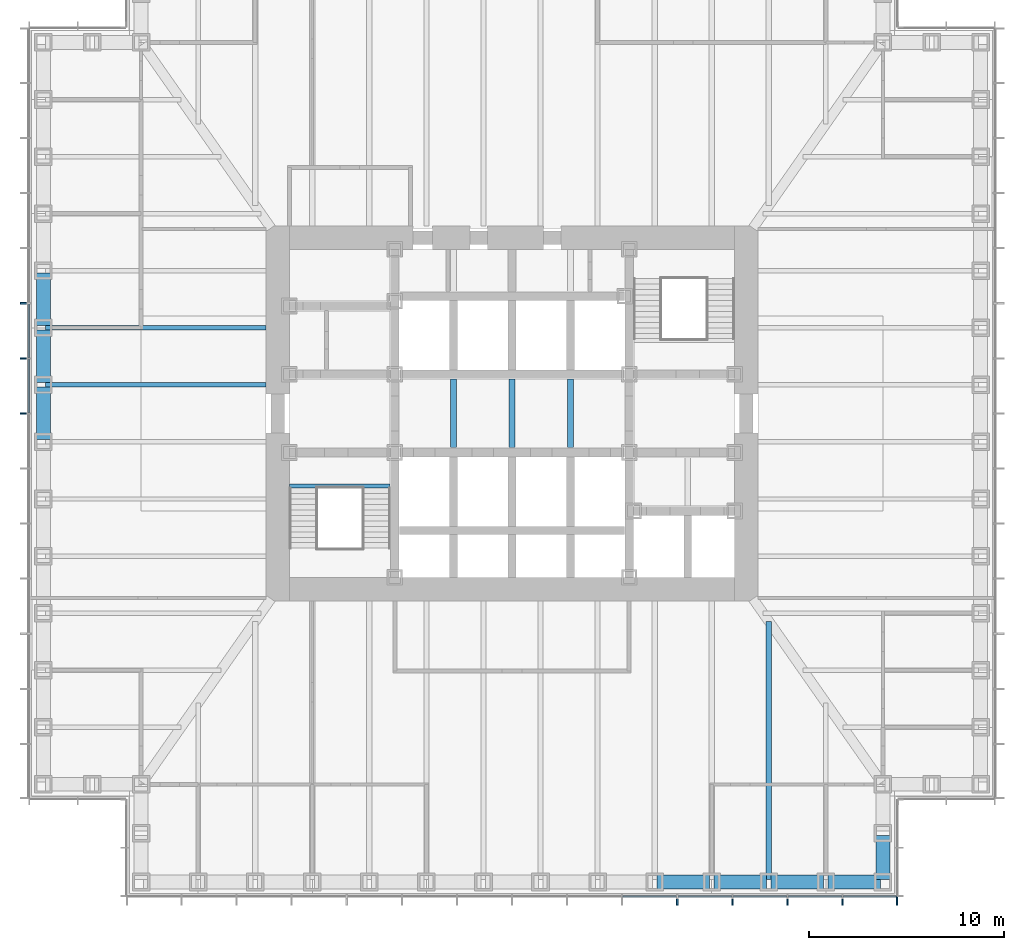
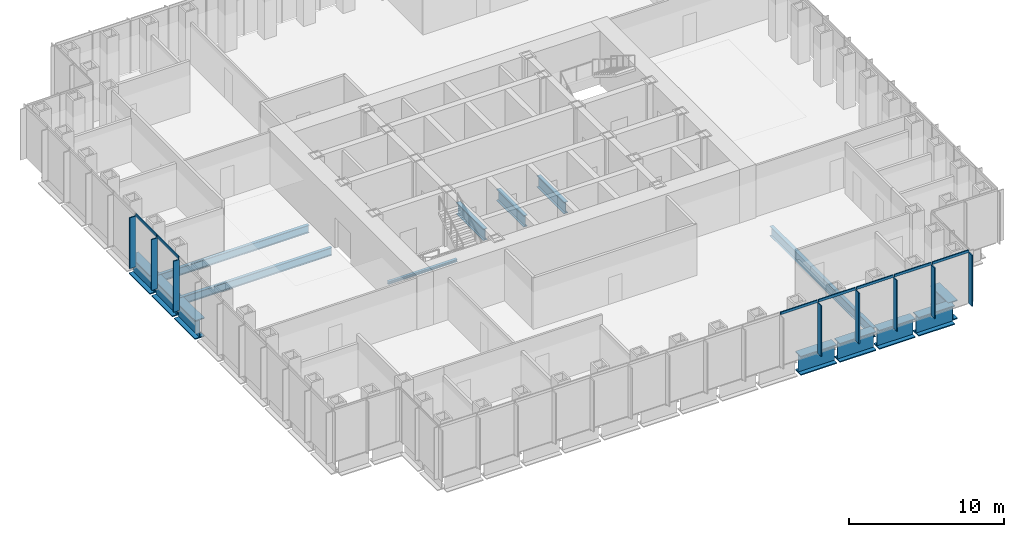
# One storey, part 3 of 17: 15 beams, 15 members, 2 elements without a shape of their own.
"""IFC4 building model written with IfcOpenShell, lengths in metres."""

from ifc_helpers import new_model, si_unit, direction, frame, origin, origin_2d, place, context, subcontext, project, spatial, rectangle, i_section, extrude, material, material_profile, profile_set, type_object, element, aggregate, save


model = new_model("IFC4")

# Units and contexts
model_context = context("Model", 3, precision=1e-05, world=origin(), true_north=direction((0.0, 1.0)))
body_context = subcontext(model_context, "Body", "Model", "MODEL_VIEW")
ifc_project = project(units=[si_unit("LENGTHUNIT", "METRE"), si_unit("AREAUNIT", "SQUARE_METRE"), si_unit("VOLUMEUNIT", "CUBIC_METRE"), si_unit("PLANEANGLEUNIT", "RADIAN"), si_unit("MASSUNIT", "GRAM", prefix="KILO")], contexts=[model_context])

# Site, building, storey
site_placement = place(None, origin())
site = spatial("IfcSite", under=ifc_project, at=site_placement, CompositionType="ELEMENT")
building_placement = place(site_placement, origin())
building = spatial("IfcBuilding", under=site, at=building_placement, Name="Daluyong Arena Tower", CompositionType="ELEMENT")
storey_placement = place(building_placement, frame((0.0, 0.0, 89.5)))
storey = spatial("IfcBuildingStorey", under=building, at=storey_placement, Name="L19", CompositionType="ELEMENT", Elevation=89.5)

# Curtain wall, members
ifc_material_1 = material(Name="Bronze anodised aluminium and glass", Category="aluminium")
curtain_wall_type = type_object("IfcCurtainWallType", Name="Curtain wall CW1", PredefinedType="USERDEFINED", material=ifc_material_1)
curtain_wall_1_placement = place(storey_placement, origin())
curtain_wall_1 = element("IfcCurtainWall", 1, at=curtain_wall_1_placement, inside=storey, type_object=curtain_wall_type, Name="curtain wall L19 S", ObjectType="UNITISED CURTAIN WALL", PredefinedType="USERDEFINED")
ifc_material_2 = material(Name="Bronze anodised aluminium fin", Category="aluminium")
ifc_material_profile_1 = material_profile(ifc_material_2, rectangle(XDim=0.449951171875, YDim=0.080078125, at=origin_2d()))
ifc_profile_set_1 = profile_set([ifc_material_profile_1], Name="Bronze anodised aluminium fin")
member_type_1 = type_object("IfcMemberType", Name="CW1 bronze fin 450x80", PredefinedType="MULLION", material=ifc_profile_set_1)
member_1_placement = place(storey_placement, frame((64.46435546875, 55.02490234375, 0.0), z_axis=(0.0, 0.0, 1.0), x_axis=(0.0, 1.0, 0.0)))
member_1 = element("IfcMember", 2, at=member_1_placement, type_object=member_type_1, Name="curtain wall L19 S fin 11", PredefinedType="MULLION", context=body_context, shape_type="SweptSolid", body=[
    extrude(rectangle(XDim=0.449951171875, YDim=0.080078125, at=origin_2d()), origin(), (0.0, 0.0, 1.0), 4.0),
])
member_2_placement = place(storey_placement, frame((67.28564453125, 55.02490234375, 0.0), z_axis=(0.0, 0.0, 1.0), x_axis=(0.0, 1.0, 0.0)))
member_2 = element("IfcMember", 3, at=member_2_placement, type_object=member_type_1, Name="curtain wall L19 S fin 12", PredefinedType="MULLION", context=body_context, shape_type="SweptSolid", body=[
    extrude(rectangle(XDim=0.449951171875, YDim=0.080078125, at=origin_2d()), origin(), (0.0, 0.0, 1.0), 4.0),
])
member_3_placement = place(storey_placement, frame((70.107177734375, 55.02490234375, 0.0), z_axis=(0.0, 0.0, 1.0), x_axis=(0.0, 1.0, 0.0)))
member_3 = element("IfcMember", 4, at=member_3_placement, type_object=member_type_1, Name="curtain wall L19 S fin 13", PredefinedType="MULLION", context=body_context, shape_type="SweptSolid", body=[
    extrude(rectangle(XDim=0.449951171875, YDim=0.080078125, at=origin_2d()), origin(), (0.0, 0.0, 1.0), 4.0),
])
member_4_placement = place(storey_placement, frame((72.928466796875, 55.02490234375, 0.0), z_axis=(0.0, 0.0, 1.0), x_axis=(0.0, 1.0, 0.0)))
member_4 = element("IfcMember", 5, at=member_4_placement, type_object=member_type_1, Name="curtain wall L19 S fin 14", PredefinedType="MULLION", context=body_context, shape_type="SweptSolid", body=[
    extrude(rectangle(XDim=0.449951171875, YDim=0.080078125, at=origin_2d()), origin(), (0.0, 0.0, 1.0), 4.0),
])
member_5_placement = place(storey_placement, frame((75.7099609375, 55.02490234375, 0.0), z_axis=(0.0, 0.0, 1.0), x_axis=(0.0, 1.0, 0.0)))
member_5 = element("IfcMember", 6, at=member_5_placement, type_object=member_type_1, Name="curtain wall L19 S fin 15", PredefinedType="MULLION", context=body_context, shape_type="SweptSolid", body=[
    extrude(rectangle(XDim=0.449951171875, YDim=0.080078125, at=origin_2d()), origin(), (0.0, 0.0, 1.0), 4.0),
])

curtain_wall_2_placement = place(storey_placement, origin())
curtain_wall_2 = element("IfcCurtainWall", 7, at=curtain_wall_2_placement, inside=storey, type_object=curtain_wall_type, Name="curtain wall L19 W", ObjectType="UNITISED CURTAIN WALL", PredefinedType="USERDEFINED")
member_6_placement = place(storey_placement, frame((31.02490234375, 85.642822265625, 0.0), z_axis=(0.0, 0.0, 1.0), x_axis=(1.0, 0.0, 0.0)))
member_6 = element("IfcMember", 8, at=member_6_placement, type_object=member_type_1, Name="curtain wall L19 W fin 6", PredefinedType="MULLION", context=body_context, shape_type="SweptSolid", body=[
    extrude(rectangle(XDim=0.449951171875, YDim=0.080078125, at=origin_2d()), origin(), (0.0, 0.0, 1.0), 4.0),
])
member_7_placement = place(storey_placement, frame((31.02490234375, 82.821533203125, 0.0), z_axis=(0.0, 0.0, 1.0), x_axis=(1.0, 0.0, 0.0)))
member_7 = element("IfcMember", 9, at=member_7_placement, type_object=member_type_1, Name="curtain wall L19 W fin 7", PredefinedType="MULLION", context=body_context, shape_type="SweptSolid", body=[
    extrude(rectangle(XDim=0.449951171875, YDim=0.080078125, at=origin_2d()), origin(), (0.0, 0.0, 1.0), 4.0),
])
member_8_placement = place(storey_placement, frame((31.02490234375, 80.0, 0.0), z_axis=(0.0, 0.0, 1.0), x_axis=(1.0, 0.0, 0.0)))
member_8 = element("IfcMember", 10, at=member_8_placement, type_object=member_type_1, Name="curtain wall L19 W fin 8", PredefinedType="MULLION", context=body_context, shape_type="SweptSolid", body=[
    extrude(rectangle(XDim=0.449951171875, YDim=0.080078125, at=origin_2d()), origin(), (0.0, 0.0, 1.0), 4.0),
])

# Member
ifc_material_3 = material(Name="Bronze anodised aluminium", Category="aluminium")
ifc_material_profile_2 = material_profile(ifc_material_3, rectangle(XDim=0.080078125, YDim=0.199951171875, at=origin_2d()))
ifc_profile_set_2 = profile_set([ifc_material_profile_2], Name="Bronze anodised aluminium")
member_type_2 = type_object("IfcMemberType", Name="CW1 stack transom 200x80", PredefinedType="USERDEFINED", material=ifc_profile_set_2)
member_9_placement = place(storey_placement, frame((61.682861328125, 55.25, 4.10009765625), z_axis=(1.0, 0.0, 0.0), x_axis=(0.0, 1.0, 0.0)))
member_9 = element("IfcMember", 11, at=member_9_placement, type_object=member_type_2, Name="curtain wall L19 S transom 10", ObjectType="TRANSOM", PredefinedType="USERDEFINED", context=body_context, shape_type="SweptSolid", body=[
    extrude(rectangle(XDim=0.080078125, YDim=0.199951171875, at=origin_2d()), origin(), (0.0, 0.0, 1.0), 2.741455078125),
])

member_10_placement = place(storey_placement, frame((64.50439453125, 55.25, 4.10009765625), z_axis=(1.0, 0.0, 0.0), x_axis=(0.0, 1.0, 0.0)))
member_10 = element("IfcMember", 12, at=member_10_placement, type_object=member_type_2, Name="curtain wall L19 S transom 11", ObjectType="TRANSOM", PredefinedType="USERDEFINED", context=body_context, shape_type="SweptSolid", body=[
    extrude(rectangle(XDim=0.080078125, YDim=0.199951171875, at=origin_2d()), origin(), (0.0, 0.0, 1.0), 2.7412109375),
])

member_11_placement = place(storey_placement, frame((67.32568359375, 55.25, 4.10009765625), z_axis=(1.0, 0.0, 0.0), x_axis=(0.0, 1.0, 0.0)))
member_11 = element("IfcMember", 13, at=member_11_placement, type_object=member_type_2, Name="curtain wall L19 S transom 12", ObjectType="TRANSOM", PredefinedType="USERDEFINED", context=body_context, shape_type="SweptSolid", body=[
    extrude(rectangle(XDim=0.080078125, YDim=0.199951171875, at=origin_2d()), origin(), (0.0, 0.0, 1.0), 2.741455078125),
])

member_12_placement = place(storey_placement, frame((70.147216796875, 55.25, 4.10009765625), z_axis=(1.0, 0.0, 0.0), x_axis=(0.0, 1.0, 0.0)))
member_12 = element("IfcMember", 14, at=member_12_placement, type_object=member_type_2, Name="curtain wall L19 S transom 13", ObjectType="TRANSOM", PredefinedType="USERDEFINED", context=body_context, shape_type="SweptSolid", body=[
    extrude(rectangle(XDim=0.080078125, YDim=0.199951171875, at=origin_2d()), origin(), (0.0, 0.0, 1.0), 2.741455078125),
])

member_13_placement = place(storey_placement, frame((72.968505859375, 55.25, 4.10009765625), z_axis=(1.0, 0.0, 0.0), x_axis=(0.0, 1.0, 0.0)))
member_13 = element("IfcMember", 15, at=member_13_placement, type_object=member_type_2, Name="curtain wall L19 S transom 14", ObjectType="TRANSOM", PredefinedType="USERDEFINED", context=body_context, shape_type="SweptSolid", body=[
    extrude(rectangle(XDim=0.080078125, YDim=0.199951171875, at=origin_2d()), origin(), (0.0, 0.0, 1.0), 2.701416015625),
])

aggregate(curtain_wall_1, [member_1, member_2, member_3, member_4, member_5, member_9, member_10, member_11, member_12, member_13])

member_14_placement = place(storey_placement, frame((31.25, 85.602783203125, 4.10009765625), z_axis=(0.0, -1.0, 0.0), x_axis=(1.0, 0.0, 0.0)))
member_14 = element("IfcMember", 16, at=member_14_placement, type_object=member_type_2, Name="curtain wall L19 W transom 6", ObjectType="TRANSOM", PredefinedType="USERDEFINED", context=body_context, shape_type="SweptSolid", body=[
    extrude(rectangle(XDim=0.080078125, YDim=0.199951171875, at=origin_2d()), origin(), (0.0, 0.0, 1.0), 2.741455078125),
])

member_15_placement = place(storey_placement, frame((31.25, 82.781494140625, 4.10009765625), z_axis=(0.0, -1.0, 0.0), x_axis=(1.0, 0.0, 0.0)))
member_15 = element("IfcMember", 17, at=member_15_placement, type_object=member_type_2, Name="curtain wall L19 W transom 7", ObjectType="TRANSOM", PredefinedType="USERDEFINED", context=body_context, shape_type="SweptSolid", body=[
    extrude(rectangle(XDim=0.080078125, YDim=0.199951171875, at=origin_2d()), origin(), (0.0, 0.0, 1.0), 2.741455078125),
])

aggregate(curtain_wall_2, [member_6, member_7, member_8, member_14, member_15])

# Beams
ifc_material_4 = material(Name="Steel ASTM A992 Grade 50", Category="steel")
ifc_material_profile_3 = material_profile(ifc_material_4, i_section(OverallWidth=0.22900390625, OverallDepth=0.612060546875, WebThickness=0.011962890625, FlangeThickness=0.01953125, at=origin_2d()))
ifc_profile_set_3 = profile_set([ifc_material_profile_3], Name="Steel ASTM A992 Grade 50")
beam_type_1 = type_object("IfcBeamType", Name="Floor beam W24X84", PredefinedType="BEAM", material=ifc_profile_set_3)
for number, where, z_axis, x_axis, name in (
    (18, (32.114990234375, 84.384521484375, -0.466064453125), (1.0, 0.0, 0.0), (0.0, 1.0, 0.0), "floor beam FB3"),
    (19, (32.114990234375, 81.46142578125, -0.466064453125), (1.0, 0.0, 0.0), (0.0, 1.0, 0.0), "floor beam FB3"),
):
    element("IfcBeam", number, at=place(storey_placement, frame(where, z_axis=z_axis, x_axis=x_axis)), inside=storey, type_object=beam_type_1, Name=name, PredefinedType="BEAM", context=body_context, shape_type="SweptSolid", body=[
        extrude(i_section(OverallWidth=0.22900390625, OverallDepth=0.612060546875, WebThickness=0.011962890625, FlangeThickness=0.01953125, at=origin_2d()), origin(), (0.0, 0.0, 1.0), 11.284912109375),
    ])
ifc_material_5 = material(Name="Steel ASTM A992 Grade 50", Category="steel")
ifc_material_profile_4 = material_profile(ifc_material_5, i_section(OverallWidth=0.2666015625, OverallDepth=0.761962890625, WebThickness=0.014404296875, FlangeThickness=0.021484375, at=origin_2d()))
ifc_profile_set_4 = profile_set([ifc_material_profile_4], Name="Steel ASTM A992 Grade 50")
beam_type_2 = type_object("IfcBeamType", Name="Floor beam W30X116", PredefinedType="BEAM", material=ifc_profile_set_4)
beam_1_placement = place(storey_placement, frame((69.15380859375, 56.114990234375, -0.541015625), z_axis=(0.0, 1.0, 0.0), x_axis=(-1.0, 0.0, 0.0)))
element("IfcBeam", 20, at=beam_1_placement, inside=storey, type_object=beam_type_2, Name="floor beam FB4", PredefinedType="BEAM", context=body_context, shape_type="SweptSolid", body=[
    extrude(i_section(OverallWidth=0.2666015625, OverallDepth=0.761962890625, WebThickness=0.014404296875, FlangeThickness=0.021484375, at=origin_2d()), origin(), (0.0, 0.0, 1.0), 13.236572265625),
])
ifc_material_6 = material(Name="Steel ASTM A572 Grade 50", Category="steel")
ifc_material_profile_5 = material_profile(ifc_material_6, i_section(OverallWidth=0.300048828125, OverallDepth=0.89990234375, WebThickness=0.025, FlangeThickness=0.04, at=origin_2d()))
ifc_profile_set_5 = profile_set([ifc_material_profile_5], Name="Steel ASTM A572 Grade 50")
beam_type_3 = type_object("IfcBeamType", Name="Lift divider beam PG900X300", PredefinedType="BEAM", material=ifc_profile_set_5)
for number, where, z_axis, x_axis, name in (
    (21, (53.0, 78.25, -0.610107421875), (0.0, 1.0, 0.0), (-1.0, 0.0, 0.0), "lift divider beam DB1"),
    (22, (56.0, 78.25, -0.610107421875), (0.0, 1.0, 0.0), (-1.0, 0.0, 0.0), "lift divider beam DB1"),
    (23, (59.0, 78.25, -0.610107421875), (0.0, 1.0, 0.0), (-1.0, 0.0, 0.0), "lift divider beam DB1"),
):
    element("IfcBeam", number, at=place(storey_placement, frame(where, z_axis=z_axis, x_axis=x_axis)), inside=storey, type_object=beam_type_3, Name=name, PredefinedType="BEAM", context=body_context, shape_type="SweptSolid", body=[
        extrude(i_section(OverallWidth=0.300048828125, OverallDepth=0.89990234375, WebThickness=0.025, FlangeThickness=0.04, at=origin_2d()), origin(), (0.0, 0.0, 1.0), 3.5),
    ])
ifc_material_7 = material(Name="Steel ASTM A572 Grade 50", Category="steel")
ifc_material_profile_6 = material_profile(ifc_material_7, i_section(OverallWidth=0.699951171875, OverallDepth=1.5, WebThickness=0.04, FlangeThickness=0.08, at=origin_2d()))
ifc_profile_set_6 = profile_set([ifc_material_profile_6], Name="Steel ASTM A572 Grade 50")
beam_type_4 = type_object("IfcBeamType", Name="Spandrel Z1 PG1500X700", PredefinedType="SPANDREL", material=ifc_profile_set_6)
for number, where, z_axis, x_axis, name in (
    (24, (63.422607421875, 56.0, -0.909912109375), (1.0, 0.0, 0.0), (0.0, 1.0, 0.0), "spandrel z1 SB4"),
    (25, (66.345703125, 56.0, -0.909912109375), (1.0, 0.0, 0.0), (0.0, 1.0, 0.0), "spandrel z1 SB4"),
    (26, (69.268798828125, 56.0, -0.909912109375), (1.0, 0.0, 0.0), (0.0, 1.0, 0.0), "spandrel z1 SB4"),
    (27, (72.19189453125, 56.0, -0.909912109375), (1.0, 0.0, 0.0), (0.0, 1.0, 0.0), "spandrel z1 SB4"),
):
    element("IfcBeam", number, at=place(storey_placement, frame(where, z_axis=z_axis, x_axis=x_axis)), inside=storey, type_object=beam_type_4, Name=name, PredefinedType="SPANDREL", context=body_context, shape_type="SweptSolid", body=[
        extrude(i_section(OverallWidth=0.699951171875, OverallDepth=1.5, WebThickness=0.04, FlangeThickness=0.08, at=origin_2d()), origin(), (0.0, 0.0, 1.0), 2.693115234375),
    ])
beam_2_placement = place(storey_placement, frame((75.0, 56.114990234375, -0.909912109375), z_axis=(0.0, 1.0, 0.0), x_axis=(-1.0, 0.0, 0.0)))
element("IfcBeam", 28, at=beam_2_placement, inside=storey, type_object=beam_type_4, Name="spandrel z1 SB4", PredefinedType="SPANDREL", context=body_context, shape_type="SweptSolid", body=[
    extrude(i_section(OverallWidth=0.699951171875, OverallDepth=1.5, WebThickness=0.04, FlangeThickness=0.08, at=origin_2d()), origin(), (0.0, 0.0, 1.0), 2.27001953125),
])
for number, where, z_axis, x_axis, name in (
    (29, (32.0, 87.192626953125, -0.909912109375), (0.0, -1.0, 0.0), (1.0, 0.0, 0.0), "spandrel z1 SB4"),
    (30, (32.0, 84.26953125, -0.909912109375), (0.0, -1.0, 0.0), (1.0, 0.0, 0.0), "spandrel z1 SB4"),
):
    element("IfcBeam", number, at=place(storey_placement, frame(where, z_axis=z_axis, x_axis=x_axis)), inside=storey, type_object=beam_type_4, Name=name, PredefinedType="SPANDREL", context=body_context, shape_type="SweptSolid", body=[
        extrude(i_section(OverallWidth=0.699951171875, OverallDepth=1.5, WebThickness=0.04, FlangeThickness=0.08, at=origin_2d()), origin(), (0.0, 0.0, 1.0), 2.693115234375),
    ])
beam_3_placement = place(storey_placement, frame((32.0, 81.346435546875, -0.909912109375), z_axis=(0.0, -1.0, 0.0), x_axis=(1.0, 0.0, 0.0)))
element("IfcBeam", 31, at=beam_3_placement, inside=storey, type_object=beam_type_4, Name="spandrel z1 SB4", PredefinedType="SPANDREL", context=body_context, shape_type="SweptSolid", body=[
    extrude(i_section(OverallWidth=0.699951171875, OverallDepth=1.5, WebThickness=0.04, FlangeThickness=0.08, at=origin_2d()), origin(), (0.0, 0.0, 1.0), 2.69287109375),
])
ifc_material_8 = material(Name="Steel ASTM A992 Grade 50", Category="steel")
ifc_material_profile_7 = material_profile(ifc_material_8, i_section(OverallWidth=0.203125, OverallDepth=0.203125, WebThickness=0.00732421875, FlangeThickness=0.010986328125, at=origin_2d()))
ifc_profile_set_7 = profile_set([ifc_material_profile_7], Name="Steel ASTM A992 Grade 50")
beam_type_5 = type_object("IfcBeamType", Name="Stair landing beam W8X31", PredefinedType="BEAM", material=ifc_profile_set_7)
beam_4_placement = place(storey_placement, frame((44.60009765625, 76.276611328125, -0.26171875), z_axis=(1.0, 0.0, 0.0), x_axis=(0.0, 1.0, 0.0)))
element("IfcBeam", 32, at=beam_4_placement, inside=storey, type_object=beam_type_5, Name="exit stair A landing beam", PredefinedType="BEAM", context=body_context, shape_type="SweptSolid", body=[
    extrude(i_section(OverallWidth=0.203125, OverallDepth=0.203125, WebThickness=0.00732421875, FlangeThickness=0.010986328125, at=origin_2d()), origin(), (0.0, 0.0, 1.0), 5.14990234375),
])

save(model, "model.ifc")
